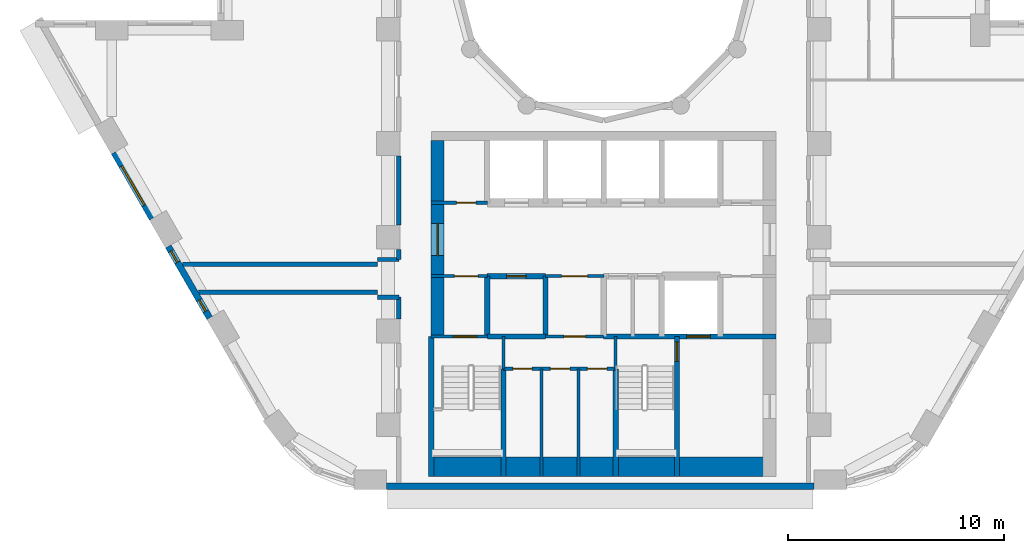
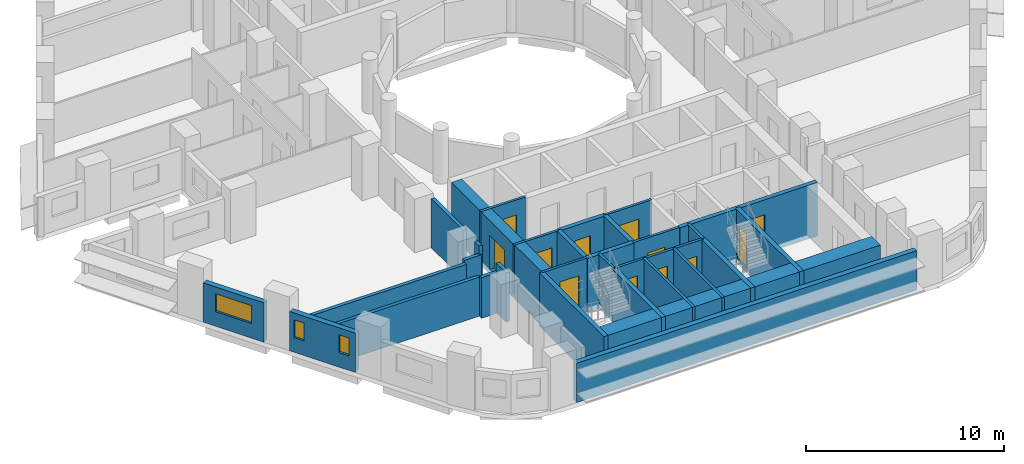
# One storey, part 3 of 13: 31 walls, 12 doors, 3 windows, 15 openings.
"""IFC4 building model written with IfcOpenShell, lengths in metres."""

from ifc_helpers import new_model, si_unit, direction, frame, frame_2d, origin, place, context, subcontext, project, spatial, rectangle, extrude, material, layer, layer_set, type_object, element, fill, save


model = new_model("IFC4")

# Units and contexts
model_context = context("Model", 3, precision=1e-05, world=origin(), true_north=direction((0.0, 1.0)))
body_context = subcontext(model_context, "Body", "Model", "MODEL_VIEW")
ifc_project = project(units=[si_unit("LENGTHUNIT", "METRE"), si_unit("AREAUNIT", "SQUARE_METRE"), si_unit("VOLUMEUNIT", "CUBIC_METRE"), si_unit("PLANEANGLEUNIT", "RADIAN"), si_unit("MASSUNIT", "GRAM", prefix="KILO")], contexts=[model_context])

# Site, building, storey
site_placement = place(None, origin())
site = spatial("IfcSite", under=ifc_project, at=site_placement, CompositionType="ELEMENT")
building_placement = place(site_placement, origin())
building = spatial("IfcBuilding", under=site, at=building_placement, Name="Nakaniwa Court", CompositionType="ELEMENT")
storey_placement = place(building_placement, frame((0.0, 0.0, 64.5)))
storey = spatial("IfcBuildingStorey", under=building, at=storey_placement, Name="L17", CompositionType="ELEMENT", Elevation=64.5)

# Walls
ifc_material_1 = material(Name="Acoustic double stud partition")
ifc_layer_1 = layer(ifc_material_1, 0.199951171875)
ifc_layer_set_1 = layer_set([ifc_layer_1], Name="Acoustic double stud partition")
wall_type_1 = type_object("IfcWallType", Name="Acoustic double stud partition 200", PredefinedType="PARTITIONING", material=ifc_layer_set_1)
wall_1_placement = place(storey_placement, frame((61.207275390625, 65.14990234375, 0.0), z_axis=(0.0, 0.0, 1.0), x_axis=(1.0, 0.0, 0.0)))
element("IfcWall", 1, at=wall_1_placement, inside=storey, type_object=wall_type_1, Name="Partition PW-092", PredefinedType="PARTITIONING", context=body_context, shape_type="SweptSolid", body=[
    extrude(rectangle(XDim=8.292724609375, YDim=0.199951171875, at=frame_2d((4.146484375, 0.0))), origin(), (0.0, 0.0, 1.0), 2.405029296875),
])
for number, where, z_axis, x_axis, name in (
    (2, (69.5, 64.925048828125, 0.0), (0.0, 0.0, 1.0), (1.0, 0.0, 0.0), "Partition PW-094"),
    (3, (69.5, 66.675048828125, 0.0), (0.0, 0.0, 1.0), (1.0, 0.0, 0.0), "Partition PW-096"),
):
    element("IfcWall", number, at=place(storey_placement, frame(where, z_axis=z_axis, x_axis=x_axis)), inside=storey, type_object=wall_type_1, Name=name, PredefinedType="PARTITIONING", context=body_context, shape_type="SweptSolid", body=[
        extrude(rectangle(XDim=1.0, YDim=0.199951171875, at=frame_2d((0.5, 0.0))), origin(), (0.0, 0.0, 1.0), 2.5048828125),
    ])
wall_2_placement = place(storey_placement, frame((60.456787109375, 66.449951171875, 0.0), z_axis=(0.0, 0.0, 1.0), x_axis=(1.0, 0.0, 0.0)))
element("IfcWall", 4, at=wall_2_placement, inside=storey, type_object=wall_type_1, Name="Partition PW-098", PredefinedType="PARTITIONING", context=body_context, shape_type="SweptSolid", body=[
    extrude(rectangle(XDim=9.043212890625, YDim=0.199951171875, at=frame_2d((4.521484375, 0.0))), origin(), (0.0, 0.0, 1.0), 2.405029296875),
])
wall_3_placement = place(storey_placement, frame((70.5, 63.9169921875, 0.0), z_axis=(0.0, 0.0, 1.0), x_axis=(0.0, 1.0, 0.0)))
element("IfcWall", 5, at=wall_3_placement, inside=storey, type_object=wall_type_1, Name="Partition PW-102", PredefinedType="PARTITIONING", context=body_context, shape_type="SweptSolid", body=[
    extrude(rectangle(XDim=1.010986328125, YDim=0.199951171875, at=frame_2d((0.50537109375, 0.0))), origin(), (0.0, 0.0, 1.0), 3.02490234375),
])
wall_4_placement = place(storey_placement, frame((70.5, 66.672119140625, 0.0), z_axis=(0.0, 0.0, 1.0), x_axis=(0.0, 1.0, 0.0)))
element("IfcWall", 6, at=wall_4_placement, inside=storey, type_object=wall_type_1, Name="Partition PW-103", PredefinedType="PARTITIONING", context=body_context, shape_type="SweptSolid", body=[
    extrude(rectangle(XDim=0.4609375, YDim=0.199951171875, at=frame_2d((0.23046875, 0.0))), origin(), (0.0, 0.0, 1.0), 3.02490234375),
])
wall_5_placement = place(storey_placement, frame((70.5, 68.26708984375, 0.0), z_axis=(0.0, 0.0, 1.0), x_axis=(0.0, 1.0, 0.0)))
element("IfcWall", 7, at=wall_5_placement, inside=storey, type_object=wall_type_1, Name="Partition PW-104", PredefinedType="PARTITIONING", context=body_context, shape_type="SweptSolid", body=[
    extrude(rectangle(XDim=3.2158203125, YDim=0.199951171875, at=frame_2d((1.60791015625, 0.0))), origin(), (0.0, 0.0, 1.0), 3.02490234375),
])

# Wall, opening, window
ifc_material_2 = material(Name="Charcoal ceramic cladding")
ifc_layer_2 = layer(ifc_material_2, 0.02, Name="Ceramic cladding")
ifc_material_3 = material(Name="Ventilated air cavity")
ifc_layer_3 = layer(ifc_material_3, 0.04, ventilated=True, Name="Ventilated cavity")
ifc_material_4 = material(Name="Mineral wool insulation")
ifc_layer_4 = layer(ifc_material_4, 0.1, Name="Insulation")
ifc_material_5 = material(Name="Cement bonded sheathing board")
ifc_layer_5 = layer(ifc_material_5, 0.012, Name="Sheathing")
ifc_material_6 = material(Name="Cold-formed galvanised stud frame with mineral wool infill")
ifc_layer_6 = layer(ifc_material_6, 0.1, Name="Stud frame")
ifc_material_7 = material(Name="Fire-rated gypsum plasterboard lining")
ifc_layer_7 = layer(ifc_material_7, 0.028, Name="Lining")
ifc_layer_set_2 = layer_set([ifc_layer_2, ifc_layer_3, ifc_layer_4, ifc_layer_5, ifc_layer_6, ifc_layer_7], Name="Charcoal ceramic faced external wall system")
wall_type_2 = type_object("IfcWallType", Name="Black ceramic faced external wall 300", PredefinedType="SOLIDWALL", material=ifc_layer_set_2)
wall_6_placement = place(storey_placement, frame((57.290283203125, 71.63427734375, 0.0), z_axis=(0.0, 0.0, 1.0), x_axis=(0.499977402622, -0.866038449993, 0.0)))
wall_6 = element("IfcWall", 8, at=wall_6_placement, inside=storey, type_object=wall_type_2, Name="L17 external wall 21", PredefinedType="SOLIDWALL", context=body_context, shape_type="SweptSolid", body=[
    extrude(rectangle(XDim=3.536865234375, YDim=0.300048828125, at=frame_2d((1.7685546875, 0.0))), origin(), (0.0, 0.0, 1.0), 2.425048828125),
])
opening_1_placement = place(wall_6_placement, frame((0.718505859375, 0.0, 0.89990234375)))
opening_1 = element("IfcOpeningElement", 9, at=opening_1_placement, cuts=wall_6, Name="Opening W7.23", PredefinedType="OPENING", context=body_context, shape_type="SweptSolid", body=[
    extrude(rectangle(XDim=2.10009765625, YDim=1.10009765625, at=frame_2d((1.050048828125, 0.550048828125))), frame((0.0, 0.159912109375, 0.0), z_axis=(0.0, -1.0, 0.0), x_axis=(1.0, 0.0, 0.0)), (0.0, 0.0, 1.0), 0.320068359375),
])
ifc_material_8 = material(Name="Black anodised aluminium frame with dark low-E laminated double glazing", Category="aluminium")
window_type_1 = type_object("IfcWindowType", Name="Dark glass window 2100x1100 sill 900", PartitioningType="SINGLE_PANEL", PredefinedType="WINDOW", material=ifc_material_8)
window_1_placement = place(opening_1_placement, origin())
window_1 = element("IfcWindow", 10, at=window_1_placement, inside=storey, type_object=window_type_1, Name="L17 habitable room window 21-0", OverallHeight=1.10009765625, OverallWidth=2.10009765625, PartitioningType="SINGLE_PANEL", PredefinedType="WINDOW", context=body_context, shape_type="SweptSolid", body=[
    extrude(rectangle(XDim=2.10009765625, YDim=1.10009765625, at=frame_2d((1.050048828125, 0.550048828125))), frame((0.0, 0.030029296875, 0.0), z_axis=(0.0, -1.0, 0.0), x_axis=(1.0, 0.0, 0.0)), (0.0, 0.0, 1.0), 0.06005859375),
])
fill(opening_1, window_1)

# Wall, openings, windows
wall_7_placement = place(storey_placement, frame((59.8046875, 67.279296875, 0.0), z_axis=(0.0, 0.0, 1.0), x_axis=(0.500001735503, -0.866024401789, 0.0)))
wall_7 = element("IfcWall", 11, at=wall_7_placement, inside=storey, type_object=wall_type_2, Name="L17 external wall 22", PredefinedType="SOLIDWALL", context=body_context, shape_type="SweptSolid", body=[
    extrude(rectangle(XDim=3.833984375, YDim=0.300048828125, at=frame_2d((1.9169921875, 0.0))), origin(), (0.0, 0.0, 1.0), 2.425048828125),
])
opening_2_placement = place(wall_7_placement, frame((0.252685546875, 0.0, 0.89990234375)))
opening_2 = element("IfcOpeningElement", 12, at=opening_2_placement, cuts=wall_7, Name="Opening W8.24", PredefinedType="OPENING", context=body_context, shape_type="SweptSolid", body=[
    extrude(rectangle(XDim=0.60009765625, YDim=1.10009765625, at=frame_2d((0.300048828125, 0.550048828125))), frame((0.0, 0.159912109375, 0.0), z_axis=(0.0, -1.0, 0.0), x_axis=(1.0, 0.0, 0.0)), (0.0, 0.0, 1.0), 0.320068359375),
])
opening_3_placement = place(wall_7_placement, frame((2.870361328125, 0.0, 0.89990234375)))
opening_3 = element("IfcOpeningElement", 13, at=opening_3_placement, cuts=wall_7, Name="Opening W8.25", PredefinedType="OPENING", context=body_context, shape_type="SweptSolid", body=[
    extrude(rectangle(XDim=0.60009765625, YDim=1.10009765625, at=frame_2d((0.300048828125, 0.550048828125))), frame((0.0, 0.159912109375, 0.0), z_axis=(0.0, -1.0, 0.0), x_axis=(1.0, 0.0, 0.0)), (0.0, 0.0, 1.0), 0.320068359375),
])
window_type_2 = type_object("IfcWindowType", Name="Dark glass window 600x1100 sill 900", PartitioningType="SINGLE_PANEL", PredefinedType="WINDOW", material=ifc_material_8)
window_2_placement = place(opening_2_placement, origin())
window_2 = element("IfcWindow", 14, at=window_2_placement, inside=storey, type_object=window_type_2, Name="L17 habitable room window 22-0", OverallHeight=1.10009765625, OverallWidth=0.60009765625, PartitioningType="SINGLE_PANEL", PredefinedType="WINDOW", context=body_context, shape_type="SweptSolid", body=[
    extrude(rectangle(XDim=0.60009765625, YDim=1.10009765625, at=frame_2d((0.300048828125, 0.550048828125))), frame((0.0, 0.030029296875, 0.0), z_axis=(0.0, -1.0, 0.0), x_axis=(1.0, 0.0, 0.0)), (0.0, 0.0, 1.0), 0.06005859375),
])
fill(opening_2, window_2)
window_3_placement = place(opening_3_placement, origin())
window_3 = element("IfcWindow", 15, at=window_3_placement, inside=storey, type_object=window_type_2, Name="L17 habitable room window 22-2", OverallHeight=1.10009765625, OverallWidth=0.60009765625, PartitioningType="SINGLE_PANEL", PredefinedType="WINDOW", context=body_context, shape_type="SweptSolid", body=[
    extrude(rectangle(XDim=0.60009765625, YDim=1.10009765625, at=frame_2d((0.300048828125, 0.550048828125))), frame((0.0, 0.030029296875, 0.0), z_axis=(0.0, -1.0, 0.0), x_axis=(1.0, 0.0, 0.0)), (0.0, 0.0, 1.0), 0.06005859375),
])
fill(opening_3, window_3)

# Wall
wall_8_placement = place(storey_placement, frame((69.92138671875, 56.14990234375, 0.0), z_axis=(0.0, 0.0, 1.0), x_axis=(1.0, 0.0, 0.0)))
element("IfcWall", 16, at=wall_8_placement, inside=storey, type_object=wall_type_2, Name="L17 external wall 26", PredefinedType="SOLIDWALL", context=body_context, shape_type="SweptSolid", body=[
    extrude(rectangle(XDim=19.839599609375, YDim=0.300048828125, at=frame_2d((9.919921875, 0.0))), origin(), (0.0, 0.0, 1.0), 2.425048828125),
])

# Wall, opening, door
ifc_material_9 = material(Name="Blockwork partition", Category="masonry")
ifc_layer_8 = layer(ifc_material_9, 0.14990234375)
ifc_layer_set_3 = layer_set([ifc_layer_8], Name="Blockwork partition")
wall_type_3 = type_object("IfcWallType", Name="Blockwork partition 150", PredefinedType="PARTITIONING", material=ifc_layer_set_3)
wall_9_placement = place(storey_placement, frame((72.0, 69.300048828125, 0.0), z_axis=(0.0, 0.0, 1.0), x_axis=(1.0, 0.0, 0.0)))
wall_9 = element("IfcWall", 17, at=wall_9_placement, inside=storey, type_object=wall_type_3, Name="Partition PW-038", PredefinedType="PARTITIONING", context=body_context, shape_type="SweptSolid", body=[
    extrude(rectangle(XDim=2.60009765625, YDim=0.14990234375, at=frame_2d((1.300048828125, 0.0))), origin(), (0.0, 0.0, 1.0), 3.02490234375),
])
opening_4_placement = place(wall_9_placement, frame((1.175048828125, 0.0, 0.0)))
opening_4 = element("IfcOpeningElement", 18, at=opening_4_placement, cuts=wall_9, Name="Opening D-05-10", PredefinedType="OPENING", context=body_context, shape_type="SweptSolid", body=[
    extrude(rectangle(XDim=0.89990234375, YDim=2.10009765625, at=frame_2d((0.449951171875, 1.050048828125))), frame((0.0, 0.0849609375, 0.0), z_axis=(0.0, -1.0, 0.0), x_axis=(1.0, 0.0, 0.0)), (0.0, 0.0, 1.0), 0.169921875),
])
ifc_material_10 = material(Name="Fire rated steel door set", Category="steel")
door_type_1 = type_object("IfcDoorType", Name="Service room door 900", OperationType="NOTDEFINED", PredefinedType="DOOR", material=ifc_material_10)
door_1_placement = place(opening_4_placement, origin())
door_1 = element("IfcDoor", 19, at=door_1_placement, inside=storey, type_object=door_type_1, Name="Door D-05-10 L17-015", OperationType="SINGLE_SWING_RIGHT", OverallHeight=2.10009765625, OverallWidth=0.89990234375, PredefinedType="DOOR", context=body_context, shape_type="SweptSolid", body=[
    extrude(rectangle(XDim=0.89990234375, YDim=2.10009765625, at=frame_2d((0.449951171875, 1.050048828125))), frame((0.0, 0.02490234375, 0.0), z_axis=(0.0, -1.0, 0.0), x_axis=(1.0, 0.0, 0.0)), (0.0, 0.0, 1.0), 0.050048828125),
])
fill(opening_4, door_1)

wall_10_placement = place(storey_placement, frame((74.60302734375, 65.89990234375, 0.0), z_axis=(0.0, 0.0, 1.0), x_axis=(-1.0, 0.0, 0.0)))
wall_10 = element("IfcWall", 20, at=wall_10_placement, inside=storey, type_object=wall_type_3, Name="Partition PW-051", PredefinedType="PARTITIONING", context=body_context, shape_type="SweptSolid", body=[
    extrude(rectangle(XDim=2.60302734375, YDim=0.14990234375, at=frame_2d((1.301513671875, 0.0))), origin(), (0.0, 0.0, 1.0), 3.02490234375),
])
opening_5_placement = place(wall_10_placement, frame((0.427978515625, 0.0, 0.0)))
opening_5 = element("IfcOpeningElement", 21, at=opening_5_placement, cuts=wall_10, Name="Opening D-08-02", PredefinedType="OPENING", context=body_context, shape_type="SweptSolid", body=[
    extrude(rectangle(XDim=1.10009765625, YDim=2.10009765625, at=frame_2d((0.550048828125, 1.050048828125))), frame((0.0, 0.0849609375, 0.0), z_axis=(0.0, -1.0, 0.0), x_axis=(1.0, 0.0, 0.0)), (0.0, 0.0, 1.0), 0.169921875),
])
door_type_2 = type_object("IfcDoorType", Name="Stair lobby door 1100", OperationType="NOTDEFINED", PredefinedType="DOOR", material=ifc_material_10)
door_2_placement = place(opening_5_placement, origin())
door_2 = element("IfcDoor", 22, at=door_2_placement, inside=storey, type_object=door_type_2, Name="Door D-08-02 L17-017", OperationType="SINGLE_SWING_RIGHT", OverallHeight=2.10009765625, OverallWidth=1.10009765625, PredefinedType="DOOR", context=body_context, shape_type="SweptSolid", body=[
    extrude(rectangle(XDim=1.10009765625, YDim=2.10009765625, at=frame_2d((0.550048828125, 1.050048828125))), frame((0.0, 0.02490234375, 0.0), z_axis=(0.0, -1.0, 0.0), x_axis=(1.0, 0.0, 0.0)), (0.0, 0.0, 1.0), 0.050048828125),
])
fill(opening_5, door_2)

wall_11_placement = place(storey_placement, frame((80.0029296875, 65.89990234375, 0.0), z_axis=(0.0, 0.0, 1.0), x_axis=(-1.0, 0.0, 0.0)))
wall_11 = element("IfcWall", 23, at=wall_11_placement, inside=storey, type_object=wall_type_3, Name="Partition PW-052", PredefinedType="PARTITIONING", context=body_context, shape_type="SweptSolid", body=[
    extrude(rectangle(XDim=2.705810546875, YDim=0.14990234375, at=frame_2d((1.35302734375, 0.0))), origin(), (0.0, 0.0, 1.0), 3.02490234375),
])
opening_6_placement = place(wall_11_placement, frame((0.7529296875, 0.0, 0.0)))
opening_6 = element("IfcOpeningElement", 24, at=opening_6_placement, cuts=wall_11, Name="Opening D-06-02", PredefinedType="OPENING", context=body_context, shape_type="SweptSolid", body=[
    extrude(rectangle(XDim=1.199951171875, YDim=2.10009765625, at=frame_2d((0.60009765625, 1.050048828125))), frame((0.0, 0.0849609375, 0.0), z_axis=(0.0, -1.0, 0.0), x_axis=(1.0, 0.0, 0.0)), (0.0, 0.0, 1.0), 0.169921875),
])
ifc_material_11 = material(Name="Fire rated steel double door set", Category="steel")
door_type_3 = type_object("IfcDoorType", Name="Service passage double door 1200", OperationType="NOTDEFINED", PredefinedType="DOOR", material=ifc_material_11)
door_3_placement = place(opening_6_placement, origin())
door_3 = element("IfcDoor", 25, at=door_3_placement, inside=storey, type_object=door_type_3, Name="Door D-06-02 L17-019", OperationType="DOUBLE_DOOR_SINGLE_SWING", OverallHeight=2.10009765625, OverallWidth=1.199951171875, PredefinedType="DOOR", context=body_context, shape_type="SweptSolid", body=[
    extrude(rectangle(XDim=1.199951171875, YDim=2.10009765625, at=frame_2d((0.60009765625, 1.050048828125))), frame((0.0, 0.02490234375, 0.0), z_axis=(0.0, -1.0, 0.0), x_axis=(1.0, 0.0, 0.0)), (0.0, 0.0, 1.0), 0.050048828125),
])
fill(opening_6, door_3)

wall_12_placement = place(storey_placement, frame((80.0, 63.10009765625, 0.0), z_axis=(0.0, 0.0, 1.0), x_axis=(-1.0, 0.0, 0.0)))
wall_12 = element("IfcWall", 26, at=wall_12_placement, inside=storey, type_object=wall_type_3, Name="Partition PW-060", PredefinedType="PARTITIONING", context=body_context, shape_type="SweptSolid", body=[
    extrude(rectangle(XDim=2.699951171875, YDim=0.14990234375, at=frame_2d((1.35009765625, 0.0))), origin(), (0.0, 0.0, 1.0), 3.02490234375),
])
opening_7_placement = place(wall_12_placement, frame((0.85009765625, 0.0, 0.0)))
opening_7 = element("IfcOpeningElement", 27, at=opening_7_placement, cuts=wall_12, Name="Opening D-23-02", PredefinedType="OPENING", context=body_context, shape_type="SweptSolid", body=[
    extrude(rectangle(XDim=1.0, YDim=2.10009765625, at=frame_2d((0.5, 1.050048828125))), frame((0.0, 0.0849609375, 0.0), z_axis=(0.0, -1.0, 0.0), x_axis=(1.0, 0.0, 0.0)), (0.0, 0.0, 1.0), 0.169921875),
])
door_type_4 = type_object("IfcDoorType", Name="Service room door 1000", OperationType="NOTDEFINED", PredefinedType="DOOR", material=ifc_material_10)
door_4_placement = place(opening_7_placement, origin())
door_4 = element("IfcDoor", 28, at=door_4_placement, inside=storey, type_object=door_type_4, Name="Door D-23-02 L17-023", OperationType="SINGLE_SWING_RIGHT", OverallHeight=2.10009765625, OverallWidth=1.0, PredefinedType="DOOR", context=body_context, shape_type="SweptSolid", body=[
    extrude(rectangle(XDim=1.0, YDim=2.10009765625, at=frame_2d((0.5, 1.050048828125))), frame((0.0, 0.02490234375, 0.0), z_axis=(0.0, -1.0, 0.0), x_axis=(1.0, 0.0, 0.0)), (0.0, 0.0, 1.0), 0.050048828125),
])
fill(opening_7, door_4)

# Wall, openings, doors
wall_13_placement = place(storey_placement, frame((80.550048828125, 61.60009765625, 0.0), z_axis=(0.0, 0.0, 1.0), x_axis=(-1.0, 0.0, 0.0)))
wall_13 = element("IfcWall", 29, at=wall_13_placement, inside=storey, type_object=wall_type_3, Name="Partition PW-068", PredefinedType="PARTITIONING", context=body_context, shape_type="SweptSolid", body=[
    extrude(rectangle(XDim=5.199951171875, YDim=0.14990234375, at=frame_2d((2.60009765625, 0.0))), origin(), (0.0, 0.0, 1.0), 3.02490234375),
])
opening_8_placement = place(wall_13_placement, frame((3.865966796875, 0.0, 0.0)))
opening_8 = element("IfcOpeningElement", 30, at=opening_8_placement, cuts=wall_13, Name="Opening D-05-16", PredefinedType="OPENING", context=body_context, shape_type="SweptSolid", body=[
    extrude(rectangle(XDim=0.89990234375, YDim=2.10009765625, at=frame_2d((0.449951171875, 1.050048828125))), frame((0.0, 0.0849609375, 0.0), z_axis=(0.0, -1.0, 0.0), x_axis=(1.0, 0.0, 0.0)), (0.0, 0.0, 1.0), 0.169921875),
])
opening_9_placement = place(wall_13_placement, frame((2.1240234375, 0.0, 0.0)))
opening_9 = element("IfcOpeningElement", 31, at=opening_9_placement, cuts=wall_13, Name="Opening D-05-17", PredefinedType="OPENING", context=body_context, shape_type="SweptSolid", body=[
    extrude(rectangle(XDim=0.89990234375, YDim=2.10009765625, at=frame_2d((0.449951171875, 1.050048828125))), frame((0.0, 0.0849609375, 0.0), z_axis=(0.0, -1.0, 0.0), x_axis=(1.0, 0.0, 0.0)), (0.0, 0.0, 1.0), 0.169921875),
])
opening_10_placement = place(wall_13_placement, frame((0.407958984375, 0.0, 0.0)))
opening_10 = element("IfcOpeningElement", 32, at=opening_10_placement, cuts=wall_13, Name="Opening D-05-18", PredefinedType="OPENING", context=body_context, shape_type="SweptSolid", body=[
    extrude(rectangle(XDim=0.89990234375, YDim=2.10009765625, at=frame_2d((0.449951171875, 1.050048828125))), frame((0.0, 0.0849609375, 0.0), z_axis=(0.0, -1.0, 0.0), x_axis=(1.0, 0.0, 0.0)), (0.0, 0.0, 1.0), 0.169921875),
])
door_5_placement = place(opening_8_placement, origin())
door_5 = element("IfcDoor", 33, at=door_5_placement, inside=storey, type_object=door_type_1, Name="Door D-05-16 L17-024", OperationType="SINGLE_SWING_LEFT", OverallHeight=2.10009765625, OverallWidth=0.89990234375, PredefinedType="DOOR", context=body_context, shape_type="SweptSolid", body=[
    extrude(rectangle(XDim=0.89990234375, YDim=2.10009765625, at=frame_2d((0.449951171875, 1.050048828125))), frame((0.0, 0.02490234375, 0.0), z_axis=(0.0, -1.0, 0.0), x_axis=(1.0, 0.0, 0.0)), (0.0, 0.0, 1.0), 0.050048828125),
])
fill(opening_8, door_5)
door_6_placement = place(opening_9_placement, origin())
door_6 = element("IfcDoor", 34, at=door_6_placement, inside=storey, type_object=door_type_1, Name="Door D-05-17 L17-025", OperationType="SINGLE_SWING_RIGHT", OverallHeight=2.10009765625, OverallWidth=0.89990234375, PredefinedType="DOOR", context=body_context, shape_type="SweptSolid", body=[
    extrude(rectangle(XDim=0.89990234375, YDim=2.10009765625, at=frame_2d((0.449951171875, 1.050048828125))), frame((0.0, 0.02490234375, 0.0), z_axis=(0.0, -1.0, 0.0), x_axis=(1.0, 0.0, 0.0)), (0.0, 0.0, 1.0), 0.050048828125),
])
fill(opening_9, door_6)
door_7_placement = place(opening_10_placement, origin())
door_7 = element("IfcDoor", 35, at=door_7_placement, inside=storey, type_object=door_type_1, Name="Door D-05-18 L17-026", OperationType="SINGLE_SWING_LEFT", OverallHeight=2.10009765625, OverallWidth=0.89990234375, PredefinedType="DOOR", context=body_context, shape_type="SweptSolid", body=[
    extrude(rectangle(XDim=0.89990234375, YDim=2.10009765625, at=frame_2d((0.449951171875, 1.050048828125))), frame((0.0, 0.02490234375, 0.0), z_axis=(0.0, -1.0, 0.0), x_axis=(1.0, 0.0, 0.0)), (0.0, 0.0, 1.0), 0.050048828125),
])
fill(opening_10, door_7)

# Walls
for number, where, z_axis, x_axis, name in (
    (36, (77.117919921875, 56.60009765625, 0.0), (0.0, 0.0, 1.0), (0.0, 1.0, 0.0), "Partition PW-069"),
    (37, (78.833984375, 56.60009765625, 0.0), (0.0, 0.0, 1.0), (0.0, 1.0, 0.0), "Partition PW-070"),
):
    element("IfcWall", number, at=place(storey_placement, frame(where, z_axis=z_axis, x_axis=x_axis)), inside=storey, type_object=wall_type_3, Name=name, PredefinedType="PARTITIONING", context=body_context, shape_type="SweptSolid", body=[
        extrude(rectangle(XDim=5.0, YDim=0.14990234375, at=frame_2d((2.5, 0.0))), origin(), (0.0, 0.0, 1.0), 3.02490234375),
    ])

# Wall, opening, door
ifc_material_12 = material(Name="Concrete C100/115", Category="concrete")
ifc_layer_9 = layer(ifc_material_12, 0.60009765625)
ifc_layer_set_4 = layer_set([ifc_layer_9], Name="Concrete C100/115")
wall_type_4 = type_object("IfcWallType", Name="Concrete core side wall 600 C100", PredefinedType="SHEAR", material=ifc_layer_set_4)
wall_14_placement = place(storey_placement, frame((72.300048828125, 63.10009765625, -0.27490234375), z_axis=(0.0, 0.0, 1.0), x_axis=(0.0, 1.0, 0.0)))
wall_14 = element("IfcWall", 38, at=wall_14_placement, inside=storey, type_object=wall_type_4, Name="Core wall SW-39", PredefinedType="SHEAR", context=body_context, shape_type="SweptSolid", body=[
    extrude(rectangle(XDim=9.099853515625, YDim=0.60009765625, at=frame_2d((4.5498046875, 0.0))), origin(), (0.0, 0.0, 1.0), 3.2998046875),
])
opening_11_placement = place(wall_14_placement, frame((3.75, 0.0, 0.27490234375)))
opening_11 = element("IfcOpeningElement", 39, at=opening_11_placement, cuts=wall_14, Name="Opening D-07-04", PredefinedType="OPENING", context=body_context, shape_type="SweptSolid", body=[
    extrude(rectangle(XDim=1.5, YDim=2.10009765625, at=frame_2d((0.75, 1.050048828125))), frame((0.0, 0.31005859375, 0.0), z_axis=(0.0, -1.0, 0.0), x_axis=(1.0, 0.0, 0.0)), (0.0, 0.0, 1.0), 0.6201171875),
])
ifc_material_13 = material(Name="Glazed fire rated steel double door set", Category="steel")
door_type_5 = type_object("IfcDoorType", Name="Lobby double door 1500", OperationType="NOTDEFINED", PredefinedType="DOOR", material=ifc_material_13)
door_8_placement = place(opening_11_placement, origin())
door_8 = element("IfcDoor", 40, at=door_8_placement, inside=storey, type_object=door_type_5, Name="Door D-07-04 L17-058", OperationType="DOUBLE_DOOR_SINGLE_SWING", OverallHeight=2.10009765625, OverallWidth=1.5, PredefinedType="DOOR", context=body_context, shape_type="SweptSolid", body=[
    extrude(rectangle(XDim=1.5, YDim=2.10009765625, at=frame_2d((0.75, 1.050048828125))), frame((0.0, 0.02490234375, 0.0), z_axis=(0.0, -1.0, 0.0), x_axis=(1.0, 0.0, 0.0)), (0.0, 0.0, 1.0), 0.050048828125),
])
fill(opening_11, door_8)

ifc_layer_10 = layer(ifc_material_12, 0.14990234375)
ifc_layer_set_5 = layer_set([ifc_layer_10], Name="Concrete C100/115")
wall_type_5 = type_object("IfcWallType", Name="Concrete core wall 150 C100", PredefinedType="SHEAR", material=ifc_layer_set_5)
wall_15_placement = place(storey_placement, frame((72.0, 63.10009765625, -0.27490234375), z_axis=(0.0, 0.0, 1.0), x_axis=(1.0, 0.0, 0.0)))
wall_15 = element("IfcWall", 41, at=wall_15_placement, inside=storey, type_object=wall_type_5, Name="Core wall SW-57", PredefinedType="SHEAR", context=body_context, shape_type="SweptSolid", body=[
    extrude(rectangle(XDim=2.60009765625, YDim=0.14990234375, at=frame_2d((1.300048828125, 0.0))), origin(), (0.0, 0.0, 1.0), 3.2998046875),
])
opening_12_placement = place(wall_15_placement, frame((1.02001953125, 0.0, 0.27490234375)))
opening_12 = element("IfcOpeningElement", 42, at=opening_12_placement, cuts=wall_15, Name="Opening D-09-02", PredefinedType="OPENING", context=body_context, shape_type="SweptSolid", body=[
    extrude(rectangle(XDim=1.10009765625, YDim=2.10009765625, at=frame_2d((0.550048828125, 1.050048828125))), frame((0.0, 0.0849609375, 0.0), z_axis=(0.0, -1.0, 0.0), x_axis=(1.0, 0.0, 0.0)), (0.0, 0.0, 1.0), 0.169921875),
])
door_type_6 = type_object("IfcDoorType", Name="Stair door 1100", OperationType="NOTDEFINED", PredefinedType="DOOR", material=ifc_material_10)
door_9_placement = place(opening_12_placement, origin())
door_9 = element("IfcDoor", 43, at=door_9_placement, inside=storey, type_object=door_type_6, Name="Door D-09-02 L17-027", OperationType="SINGLE_SWING_LEFT", OverallHeight=2.10009765625, OverallWidth=1.10009765625, PredefinedType="DOOR", context=body_context, shape_type="SweptSolid", body=[
    extrude(rectangle(XDim=1.10009765625, YDim=2.10009765625, at=frame_2d((0.550048828125, 1.050048828125))), frame((0.0, 0.02490234375, 0.0), z_axis=(0.0, -1.0, 0.0), x_axis=(1.0, 0.0, 0.0)), (0.0, 0.0, 1.0), 0.050048828125),
])
fill(opening_12, door_9)

# Walls
for number, where, z_axis, x_axis, name in (
    (44, (75.35009765625, 61.596923828125, -0.27490234375), (0.0, 0.0, 1.0), (0.0, 1.0, 0.0), "Core wall SW-62"),
    (45, (80.550048828125, 61.596923828125, -0.27490234375), (0.0, 0.0, 1.0), (0.0, 1.0, 0.0), "Core wall SW-66"),
):
    element("IfcWall", number, at=place(storey_placement, frame(where, z_axis=z_axis, x_axis=x_axis)), inside=storey, type_object=wall_type_5, Name=name, PredefinedType="SHEAR", context=body_context, shape_type="SweptSolid", body=[
        extrude(rectangle(XDim=1.503173828125, YDim=0.14990234375, at=frame_2d((0.75146484375, 0.0))), origin(), (0.0, 0.0, 1.0), 3.2998046875),
    ])
ifc_layer_11 = layer(ifc_material_12, 0.25)
ifc_layer_set_6 = layer_set([ifc_layer_11], Name="Concrete C100/115")
wall_type_6 = type_object("IfcWallType", Name="Concrete core wall 250 C100", PredefinedType="SHEAR", material=ifc_layer_set_6)
wall_16_placement = place(storey_placement, frame((72.0, 56.60009765625, -0.27490234375), z_axis=(0.0, 0.0, 1.0), x_axis=(0.0, 1.0, 0.0)))
element("IfcWall", 46, at=wall_16_placement, inside=storey, type_object=wall_type_6, Name="Core wall SW-64", PredefinedType="SHEAR", context=body_context, shape_type="SweptSolid", body=[
    extrude(rectangle(XDim=6.5, YDim=0.25, at=frame_2d((3.25, 0.0))), origin(), (0.0, 0.0, 1.0), 3.2998046875),
])
ifc_layer_12 = layer(ifc_material_12, 0.89990234375)
ifc_layer_set_7 = layer_set([ifc_layer_12], Name="Concrete C100/115")
wall_type_7 = type_object("IfcWallType", Name="Concrete core wall 900 C100", PredefinedType="SHEAR", material=ifc_layer_set_7)
wall_17_placement = place(storey_placement, frame((72.00390625, 57.050048828125, -0.27490234375), z_axis=(0.0, 0.0, 1.0), x_axis=(1.0, 0.0, 0.0)))
element("IfcWall", 47, at=wall_17_placement, inside=storey, type_object=wall_type_7, Name="Core wall SW-137", PredefinedType="SHEAR", context=body_context, shape_type="SweptSolid", body=[
    extrude(rectangle(XDim=15.9921875, YDim=0.89990234375, at=frame_2d((7.99609375, 0.0))), origin(), (0.0, 0.0, 1.0), 3.2998046875),
])
ifc_layer_13 = layer(ifc_material_12, 0.25)
ifc_layer_set_8 = layer_set([ifc_layer_13], Name="Concrete C100/115")
wall_type_8 = type_object("IfcWallType", Name="Concrete shaft wall 250 C100", PredefinedType="SHEAR", material=ifc_layer_set_8)
for number, where, z_axis, x_axis, name in (
    (48, (74.60009765625, 63.10009765625, -0.27490234375), (0.0, 0.0, 1.0), (0.0, 1.0, 0.0), "Core wall SW-36"),
    (49, (77.300048828125, 63.10009765625, -0.27490234375), (0.0, 0.0, 1.0), (0.0, 1.0, 0.0), "Core wall SW-40"),
):
    element("IfcWall", number, at=place(storey_placement, frame(where, z_axis=z_axis, x_axis=x_axis)), inside=storey, type_object=wall_type_8, Name=name, PredefinedType="SHEAR", context=body_context, shape_type="SweptSolid", body=[
        extrude(rectangle(XDim=2.7998046875, YDim=0.25, at=frame_2d((1.39990234375, 0.0))), origin(), (0.0, 0.0, 1.0), 3.2998046875),
    ])

# Wall, opening, door
wall_18_placement = place(storey_placement, frame((77.302978515625, 65.89990234375, -0.27490234375), z_axis=(0.0, 0.0, 1.0), x_axis=(-1.0, 0.0, 0.0)))
wall_18 = element("IfcWall", 50, at=wall_18_placement, inside=storey, type_object=wall_type_8, Name="Core wall SW-54", PredefinedType="SHEAR", context=body_context, shape_type="SweptSolid", body=[
    extrude(rectangle(XDim=2.7060546875, YDim=0.25, at=frame_2d((1.35302734375, 0.0))), origin(), (0.0, 0.0, 1.0), 3.2998046875),
])
opening_13_placement = place(wall_18_placement, frame((0.903076171875, 0.0, 0.27490234375)))
opening_13 = element("IfcOpeningElement", 51, at=opening_13_placement, cuts=wall_18, Name="Opening D-05-12", PredefinedType="OPENING", context=body_context, shape_type="SweptSolid", body=[
    extrude(rectangle(XDim=0.89990234375, YDim=2.10009765625, at=frame_2d((0.449951171875, 1.050048828125))), frame((0.0, 0.135009765625, 0.0), z_axis=(0.0, -1.0, 0.0), x_axis=(1.0, 0.0, 0.0)), (0.0, 0.0, 1.0), 0.27001953125),
])
door_10_placement = place(opening_13_placement, origin())
door_10 = element("IfcDoor", 52, at=door_10_placement, inside=storey, type_object=door_type_1, Name="Door D-05-12 L17-018", OperationType="SINGLE_SWING_LEFT", OverallHeight=2.10009765625, OverallWidth=0.89990234375, PredefinedType="DOOR", context=body_context, shape_type="SweptSolid", body=[
    extrude(rectangle(XDim=0.89990234375, YDim=2.10009765625, at=frame_2d((0.449951171875, 1.050048828125))), frame((0.0, 0.02490234375, 0.0), z_axis=(0.0, -1.0, 0.0), x_axis=(1.0, 0.0, 0.0)), (0.0, 0.0, 1.0), 0.050048828125),
])
fill(opening_13, door_10)

# Wall
wall_19_placement = place(storey_placement, frame((74.60009765625, 63.10009765625, -0.27490234375), z_axis=(0.0, 0.0, 1.0), x_axis=(1.0, 0.0, 0.0)))
element("IfcWall", 53, at=wall_19_placement, inside=storey, type_object=wall_type_8, Name="Core wall SW-58", PredefinedType="SHEAR", context=body_context, shape_type="SweptSolid", body=[
    extrude(rectangle(XDim=2.699951171875, YDim=0.25, at=frame_2d((1.35009765625, 0.0))), origin(), (0.0, 0.0, 1.0), 3.2998046875),
])

# Wall, opening, door
wall_20_placement = place(storey_placement, frame((80.0, 63.10009765625, -0.27490234375), z_axis=(0.0, 0.0, 1.0), x_axis=(1.0, 0.0, 0.0)))
wall_20 = element("IfcWall", 54, at=wall_20_placement, inside=storey, type_object=wall_type_8, Name="Core wall SW-59", PredefinedType="SHEAR", context=body_context, shape_type="SweptSolid", body=[
    extrude(rectangle(XDim=8.0, YDim=0.25, at=frame_2d((4.0, 0.0))), origin(), (0.0, 0.0, 1.0), 3.2998046875),
])
opening_14_placement = place(wall_20_placement, frame((3.84912109375, 0.0, 0.27490234375)))
opening_14 = element("IfcOpeningElement", 55, at=opening_14_placement, cuts=wall_20, Name="Opening LD08", PredefinedType="OPENING", context=body_context, shape_type="SweptSolid", body=[
    extrude(rectangle(XDim=1.10009765625, YDim=2.10009765625, at=frame_2d((0.550048828125, 1.050048828125))), frame((0.0, 0.135009765625, 0.0), z_axis=(0.0, -1.0, 0.0), x_axis=(1.0, 0.0, 0.0)), (0.0, 0.0, 1.0), 0.27001953125),
])
ifc_material_14 = material(Name="Stainless steel sliding lift landing door", Category="steel")
door_type_7 = type_object("IfcDoorType", Name="Lift landing door 1100", OperationType="NOTDEFINED", PredefinedType="DOOR", material=ifc_material_14)
door_11_placement = place(opening_14_placement, origin())
door_11 = element("IfcDoor", 56, at=door_11_placement, inside=storey, type_object=door_type_7, Name="Lift landing door LD08 L17-008", OperationType="SLIDING_TO_LEFT", OverallHeight=2.10009765625, OverallWidth=1.10009765625, PredefinedType="DOOR", context=body_context, shape_type="SweptSolid", body=[
    extrude(rectangle(XDim=1.10009765625, YDim=2.10009765625, at=frame_2d((0.550048828125, 1.050048828125))), frame((0.0, 0.02490234375, 0.0), z_axis=(0.0, -1.0, 0.0), x_axis=(1.0, 0.0, 0.0)), (0.0, 0.0, 1.0), 0.050048828125),
])
fill(opening_14, door_11)

# Wall
wall_21_placement = place(storey_placement, frame((75.35009765625, 56.60009765625, -0.27490234375), z_axis=(0.0, 0.0, 1.0), x_axis=(0.0, 1.0, 0.0)))
element("IfcWall", 57, at=wall_21_placement, inside=storey, type_object=wall_type_8, Name="Core wall SW-63", PredefinedType="SHEAR", context=body_context, shape_type="SweptSolid", body=[
    extrude(rectangle(XDim=5.0029296875, YDim=0.25, at=frame_2d((2.50146484375, 0.0))), origin(), (0.0, 0.0, 1.0), 3.2998046875),
])

# Wall, opening, door
wall_22_placement = place(storey_placement, frame((83.39990234375, 63.10009765625, -0.27490234375), z_axis=(0.0, 0.0, 1.0), x_axis=(0.0, -1.0, 0.0)))
wall_22 = element("IfcWall", 58, at=wall_22_placement, inside=storey, type_object=wall_type_8, Name="Core wall SW-65", PredefinedType="SHEAR", context=body_context, shape_type="SweptSolid", body=[
    extrude(rectangle(XDim=6.5, YDim=0.25, at=frame_2d((3.25, 0.0))), origin(), (0.0, 0.0, 1.0), 3.2998046875),
])
opening_15_placement = place(wall_22_placement, frame((0.25, 0.0, 0.27490234375)))
opening_15 = element("IfcOpeningElement", 59, at=opening_15_placement, cuts=wall_22, Name="Opening D-11-02", PredefinedType="OPENING", context=body_context, shape_type="SweptSolid", body=[
    extrude(rectangle(XDim=0.89990234375, YDim=2.10009765625, at=frame_2d((0.449951171875, 1.050048828125))), frame((0.0, 0.135009765625, 0.0), z_axis=(0.0, -1.0, 0.0), x_axis=(1.0, 0.0, 0.0)), (0.0, 0.0, 1.0), 0.27001953125),
])
door_type_8 = type_object("IfcDoorType", Name="Stair door 900", OperationType="NOTDEFINED", PredefinedType="DOOR", material=ifc_material_10)
door_12_placement = place(opening_15_placement, origin())
door_12 = element("IfcDoor", 60, at=door_12_placement, inside=storey, type_object=door_type_8, Name="Door D-11-02 L17-028", OperationType="SINGLE_SWING_RIGHT", OverallHeight=2.10009765625, OverallWidth=0.89990234375, PredefinedType="DOOR", context=body_context, shape_type="SweptSolid", body=[
    extrude(rectangle(XDim=0.89990234375, YDim=2.10009765625, at=frame_2d((0.449951171875, 1.050048828125))), frame((0.0, 0.02490234375, 0.0), z_axis=(0.0, -1.0, 0.0), x_axis=(1.0, 0.0, 0.0)), (0.0, 0.0, 1.0), 0.050048828125),
])
fill(opening_15, door_12)

# Wall
wall_23_placement = place(storey_placement, frame((80.550048828125, 56.60009765625, -0.27490234375), z_axis=(0.0, 0.0, 1.0), x_axis=(0.0, 1.0, 0.0)))
element("IfcWall", 61, at=wall_23_placement, inside=storey, type_object=wall_type_8, Name="Core wall SW-67", PredefinedType="SHEAR", context=body_context, shape_type="SweptSolid", body=[
    extrude(rectangle(XDim=5.0029296875, YDim=0.25, at=frame_2d((2.50146484375, 0.0))), origin(), (0.0, 0.0, 1.0), 3.2998046875),
])

save(model, "model.ifc")
